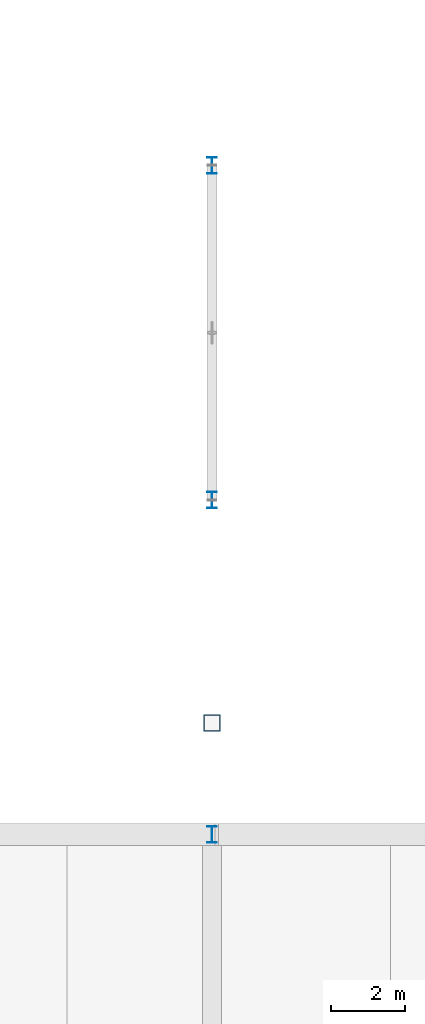
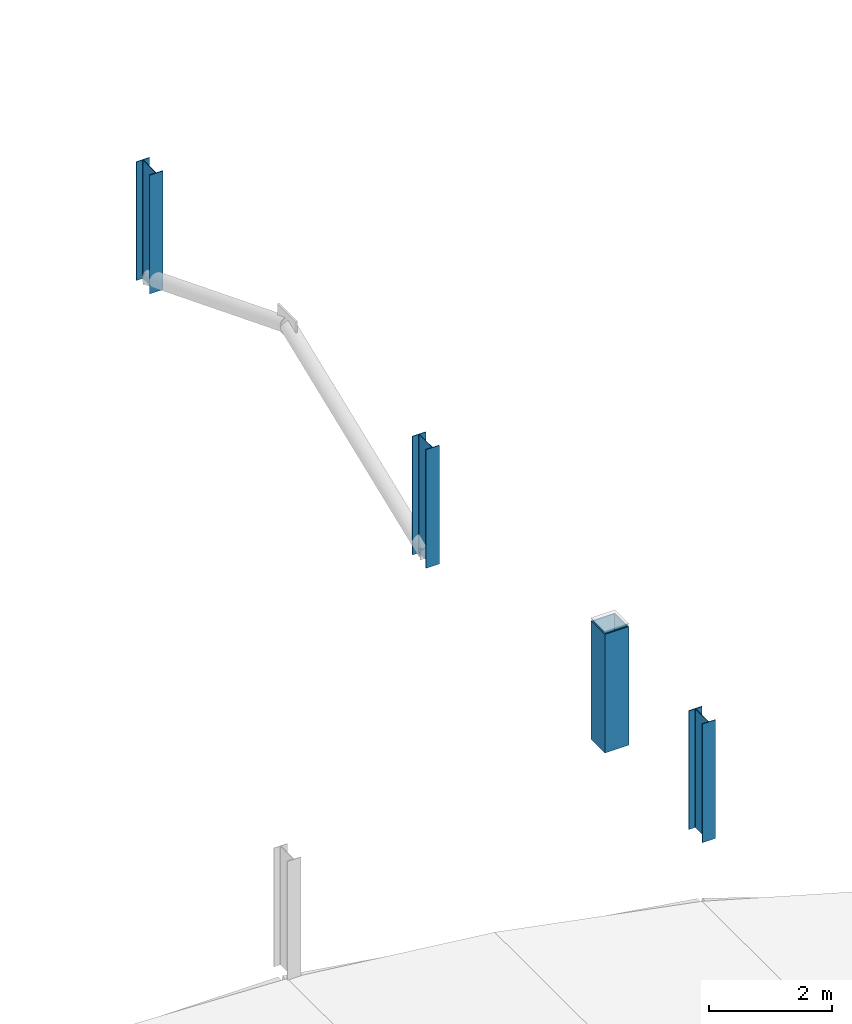
# One storey, part 2 of 12: 4 columns.
"""IFC4 building model written with IfcOpenShell, lengths in metres."""

from ifc_helpers import new_model, si_unit, derived_unit, direction, frame, origin, origin_2d, place, context, subcontext, project, spatial, hollow_rectangle, i_section, extrude, material, material_profile, profile_set, type_object, element, save


model = new_model("IFC4")

# Units and contexts
model_context = context("Model", 3, precision=1e-05, world=origin(), true_north=direction((0.0, 1.0)))
body_context = subcontext(model_context, "Body", "Model", "MODEL_VIEW")
ifc_project = project(units=[si_unit("LENGTHUNIT", "METRE"), si_unit("AREAUNIT", "SQUARE_METRE"), si_unit("VOLUMEUNIT", "CUBIC_METRE"), si_unit("PLANEANGLEUNIT", "RADIAN"), si_unit("MASSUNIT", "GRAM", prefix="KILO"), derived_unit("THERMALTRANSMITTANCEUNIT", [(si_unit("POWERUNIT", "WATT"), 1), (si_unit("LENGTHUNIT", "METRE"), -2), (si_unit("THERMODYNAMICTEMPERATUREUNIT", "KELVIN"), -1)])], contexts=[model_context])

# Site, building, storey
site_placement = place(None, origin())
site = spatial("IfcSite", under=ifc_project, at=site_placement, CompositionType="ELEMENT")
building_placement = place(site_placement, origin())
building = spatial("IfcBuilding", under=site, at=building_placement, Name="Nallur Shell Playhouse", CompositionType="ELEMENT")
storey_placement = place(building_placement, frame((0.0, 0.0, 28.800048828125)))
storey = spatial("IfcBuildingStorey", under=building, at=storey_placement, Name="RF1", CompositionType="ELEMENT", Elevation=28.800048828125)

# Columns
ifc_material = material(Name="Steel E350", Category="steel")
ifc_material_profile_1 = material_profile(ifc_material, hollow_rectangle(XDim=0.449951171875, YDim=0.449951171875, WallThickness=0.02001953125, at=origin_2d()), Name="BOX 450x450x20")
ifc_profile_set_1 = profile_set([ifc_material_profile_1], Name="Steel E350")
column_type_1 = type_object("IfcColumnType", Name="CL-ST-BOX450", PredefinedType="COLUMN", material=ifc_profile_set_1)
column_placement = place(storey_placement, frame((103.0, 50.0, 0.0), z_axis=(0.0, 0.0, 1.0), x_axis=(1.0, 0.0, 0.0)))
element("IfcColumn", 1, at=column_placement, inside=storey, type_object=column_type_1, Name="Column 13-F (RF1)", PredefinedType="COLUMN", context=body_context, shape_type="SweptSolid", body=[
    extrude(hollow_rectangle(XDim=0.449951171875, YDim=0.449951171875, WallThickness=0.02001953125, at=origin_2d()), origin(), (0.0, 0.0, 1.0), 2.35986328125),
])
ifc_material_profile_2 = material_profile(ifc_material, i_section(OverallWidth=0.25, OverallDepth=0.449951171875, WebThickness=0.01123046875, FlangeThickness=0.013671875, FilletRadius=0.014892578125, at=origin_2d()), Name="ISHB 450")
ifc_profile_set_2 = profile_set([ifc_material_profile_2], Name="Steel E350")
column_type_2 = type_object("IfcColumnType", Name="CL-ST-ISHB450", PredefinedType="COLUMN", material=ifc_profile_set_2)
for number, where, z_axis, x_axis, name in (
    (2, (103.0, 56.0, 0.0), (0.0, 0.0, 1.0), (1.0, 0.0, 0.0), "Column 13-G (RF1)"),
    (3, (103.0, 65.0, 0.0), (0.0, 0.0, 1.0), (1.0, 0.0, 0.0), "Column 13-H (RF1)"),
    (4, (103.0, 47.0, 0.0), (0.0, 0.0, 1.0), (1.0, 0.0, 0.0), "Column PROSC-6 (RF1)"),
):
    element("IfcColumn", number, at=place(storey_placement, frame(where, z_axis=z_axis, x_axis=x_axis)), inside=storey, type_object=column_type_2, Name=name, PredefinedType="COLUMN", context=body_context, shape_type="SweptSolid", body=[
        extrude(i_section(OverallWidth=0.25, OverallDepth=0.449951171875, WebThickness=0.01123046875, FlangeThickness=0.013671875, FilletRadius=0.014892578125, at=origin_2d()), origin(), (0.0, 0.0, 1.0), 2.35986328125),
    ])

save(model, "model.ifc")
